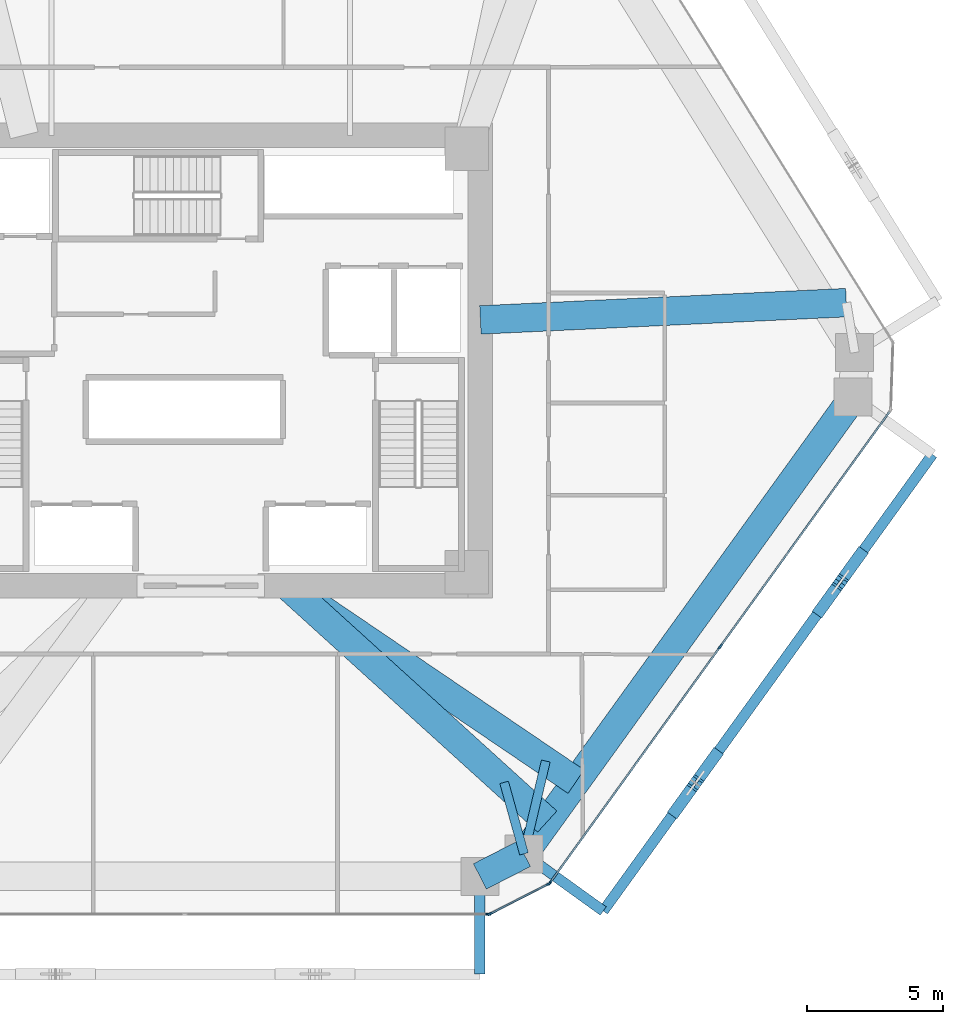
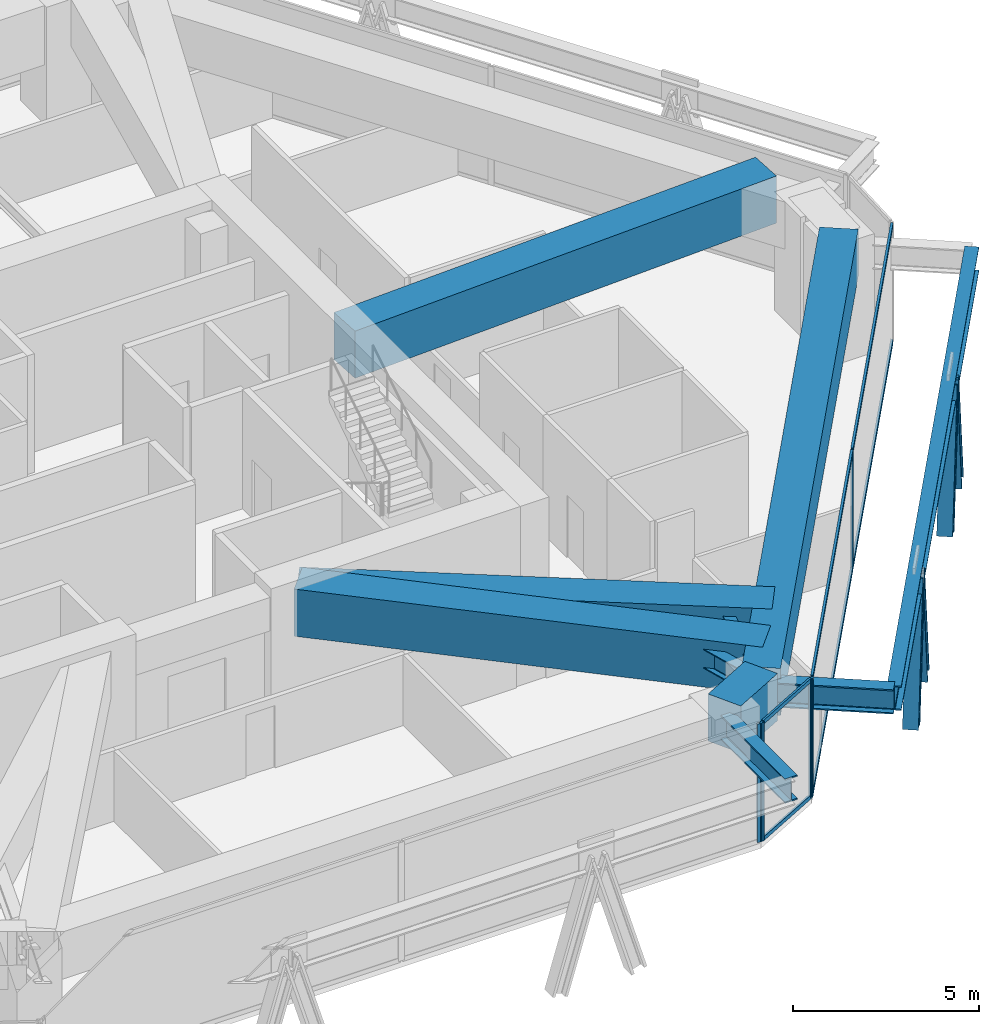
# One storey, part 5 of 16: 15 members, 10 beams, 3 elements without a shape of their own.
"""IFC4 building model written with IfcOpenShell, lengths in metres."""

from ifc_helpers import new_model, si_unit, direction, frame, origin, origin_2d, place, context, subcontext, project, spatial, rectangle, i_section, extrude, source, transform, mapped, material, layer, layer_set, material_profile, profile_set, type_object, type_shapes, element, aggregate, save


model = new_model("IFC4")

# Units and contexts
model_context = context("Model", 3, precision=1e-05, world=origin(), true_north=direction((0.0, 1.0)))
body_context = subcontext(model_context, "Body", "Model", "MODEL_VIEW")
ifc_project = project(units=[si_unit("LENGTHUNIT", "METRE"), si_unit("AREAUNIT", "SQUARE_METRE"), si_unit("VOLUMEUNIT", "CUBIC_METRE"), si_unit("PLANEANGLEUNIT", "RADIAN"), si_unit("MASSUNIT", "GRAM", prefix="KILO")], contexts=[model_context])

# Site, building, storey
site_placement = place(None, origin())
site = spatial("IfcSite", under=ifc_project, at=site_placement, CompositionType="ELEMENT")
building_placement = place(site_placement, origin())
building = spatial("IfcBuilding", under=site, at=building_placement, Name="Durnholm Broadcast Tower", CompositionType="ELEMENT")
storey_placement = place(building_placement, frame((0.0, 0.0, 84.300048828125)))
storey = spatial("IfcBuildingStorey", under=building, at=storey_placement, Name="L22", CompositionType="ELEMENT", Elevation=84.300048828125)

# Beams
ifc_material_1 = material(Name="Steel ASTM A992 Grade 50", Category="steel")
ifc_material_profile_1 = material_profile(ifc_material_1, i_section(OverallWidth=0.385009765625, OverallDepth=0.802978515625, WebThickness=0.023681640625, FlangeThickness=0.0419921875, FilletRadius=0.032958984375, at=origin_2d()), Name="W30X261")
ifc_profile_set_1 = profile_set([ifc_material_profile_1], Name="Steel ASTM A992 Grade 50")
beam_type_1 = type_object("IfcBeamType", Name="BM-EXO-TIE", PredefinedType="USERDEFINED", material=ifc_profile_set_1)
shared_shape_1 = source(origin(), body_context, "Body", "SweptSolid", [
    extrude(i_section(OverallWidth=0.385009765625, OverallDepth=0.802978515625, WebThickness=0.023681640625, FlangeThickness=0.0419921875, FilletRadius=0.032958984375, at=origin_2d()), origin(), (0.0, 0.0, 1.0), 3.4560546875),
])
for number, where, z_axis, x_axis, name in (
    (1, (10.28271484375, -19.14404296875, 3.1484375), (0.0, -1.0, 0.0), (1.0, 0.0, 0.0), "L22 exoskeleton stand-off tie bracket F1.2"),
    (2, (12.024169921875, -18.252685546875, 3.1484375), (0.811157675106, -0.584827518262, 0.0), (0.584827518262, 0.811157675106, 0.0), "L22 exoskeleton stand-off tie bracket F2.1"),
):
    element("IfcBeam", number, at=place(storey_placement, frame(where, z_axis=z_axis, x_axis=x_axis)), inside=storey, type_object=beam_type_1, Name=name, ObjectType="GIRDER", PredefinedType="USERDEFINED", context=body_context, shape_type="MappedRepresentation", body=[
        mapped(shared_shape_1, transform((0.0, 0.0, 0.0), x_axis=(1.0, 0.0, 0.0), y_axis=(0.0, 1.0, 0.0), z_axis=(0.0, 0.0, 1.0), scale=1.0)),
    ])
shared_shape_2 = source(origin(), body_context, "Body", "SweptSolid", [
    extrude(i_section(OverallWidth=0.385009765625, OverallDepth=0.802978515625, WebThickness=0.023681640625, FlangeThickness=0.0419921875, FilletRadius=0.032958984375, at=origin_2d()), origin(), (0.0, 0.0, 1.0), 20.737060546875),
])
type_shapes(beam_type_1, [shared_shape_1, shared_shape_2])
beam_1_placement = place(storey_placement, frame((14.82763671875, -20.27392578125, 3.1484375), z_axis=(0.5848163482, 0.811165728368, 0.0), x_axis=(-0.811165728368, 0.5848163482, 0.0)))
element("IfcBeam", 3, at=beam_1_placement, inside=storey, type_object=beam_type_1, Name="L22 exoskeleton collector spandrel F2", PredefinedType="SPANDREL", context=body_context, shape_type="MappedRepresentation", body=[
    mapped(shared_shape_2, transform((0.0, 0.0, 0.0), x_axis=(1.0, 0.0, 0.0), y_axis=(0.0, 1.0, 0.0), z_axis=(0.0, 0.0, 1.0), scale=1.0)),
])
ifc_material_2 = material(Name="Concrete C70/85", Category="concrete")
ifc_material_profile_2 = material_profile(ifc_material_2, rectangle(XDim=1.050048828125, YDim=1.550048828125, at=origin_2d()), Name="RC1050X1550")
ifc_profile_set_2 = profile_set([ifc_material_profile_2], Name="Concrete C70/85")
beam_type_2 = type_object("IfcBeamType", Name="BM-TG-RC1550", PredefinedType="USERDEFINED", material=ifc_profile_set_2)
shared_shape_3 = source(origin(), body_context, "Body", "SweptSolid", [
    extrude(rectangle(XDim=1.050048828125, YDim=1.550048828125, at=origin_2d()), origin(), (0.0, 0.0, 1.0), 20.737060546875),
])
beam_2_placement = place(storey_placement, frame((24.034912109375, -1.347412109375, 3.125), z_axis=(-0.584821933191, -0.811161701795, 0.0), x_axis=(0.811161701795, -0.584821933191, 0.0)))
element("IfcBeam", 4, at=beam_2_placement, inside=storey, type_object=beam_type_2, Name="L22 perimeter transfer spandrel girder 09", PredefinedType="SPANDREL", context=body_context, shape_type="MappedRepresentation", body=[
    mapped(shared_shape_3, transform((0.0, 0.0, 0.0), x_axis=(1.0, 0.0, 0.0), y_axis=(0.0, 1.0, 0.0), z_axis=(0.0, 0.0, 1.0), scale=1.0)),
])
shared_shape_4 = source(origin(), body_context, "Body", "SweptSolid", [
    extrude(rectangle(XDim=1.050048828125, YDim=1.550048828125, at=origin_2d()), origin(), (0.0, 0.0, 1.0), 1.8251953125),
])
beam_3_placement = place(storey_placement, frame((11.907470703125, -18.16845703125, 3.125), z_axis=(-0.890187609501, -0.455594139438, 0.0), x_axis=(0.455594139438, -0.890187609501, 0.0)))
element("IfcBeam", 5, at=beam_3_placement, inside=storey, type_object=beam_type_2, Name="L22 perimeter transfer spandrel girder 10", PredefinedType="SPANDREL", context=body_context, shape_type="MappedRepresentation", body=[
    mapped(shared_shape_4, transform((0.0, 0.0, 0.0), x_axis=(1.0, 0.0, 0.0), y_axis=(0.0, 1.0, 0.0), z_axis=(0.0, 0.0, 1.0), scale=1.0)),
])
shared_shape_5 = source(origin(), body_context, "Body", "SweptSolid", [
    extrude(rectangle(XDim=1.050048828125, YDim=1.550048828125, at=origin_2d()), origin(), (0.0, 0.0, 1.0), 13.495849609375),
])
beam_4_placement = place(storey_placement, frame((10.300048828125, 1.5, 3.125), z_axis=(0.99888643987, 0.047179235293, 0.0), x_axis=(-0.047179235293, 0.99888643987, 0.0)))
element("IfcBeam", 6, at=beam_4_placement, inside=storey, type_object=beam_type_2, Name="L22 radial setback transfer girder 08", ObjectType="GIRDER", PredefinedType="USERDEFINED", context=body_context, shape_type="MappedRepresentation", body=[
    mapped(shared_shape_5, transform((0.0, 0.0, 0.0), x_axis=(1.0, 0.0, 0.0), y_axis=(0.0, 1.0, 0.0), z_axis=(0.0, 0.0, 1.0), scale=1.0)),
])
shared_shape_6 = source(origin(), body_context, "Body", "SweptSolid", [
    extrude(rectangle(XDim=1.050048828125, YDim=1.550048828125, at=origin_2d()), origin(), (0.0, 0.0, 1.0), 12.839599609375),
])
beam_5_placement = place(storey_placement, frame((3.199951171875, -8.300048828125, 3.125), z_axis=(0.827591870368, -0.561330291451, 0.0), x_axis=(0.561330291451, 0.827591870368, 0.0)))
element("IfcBeam", 7, at=beam_5_placement, inside=storey, type_object=beam_type_2, Name="L22 radial setback transfer girder 10", ObjectType="GIRDER", PredefinedType="USERDEFINED", context=body_context, shape_type="MappedRepresentation", body=[
    mapped(shared_shape_6, transform((0.0, 0.0, 0.0), x_axis=(1.0, 0.0, 0.0), y_axis=(0.0, 1.0, 0.0), z_axis=(0.0, 0.0, 1.0), scale=1.0)),
])
ifc_material_profile_3 = material_profile(ifc_material_1, i_section(OverallWidth=0.3291015625, OverallDepth=0.635009765625, WebThickness=0.017822265625, FlangeThickness=0.031005859375, FilletRadius=0.02783203125, at=origin_2d()), Name="W24X162")
ifc_profile_set_3 = profile_set([ifc_material_profile_3], Name="Steel ASTM A992 Grade 50")
beam_type_3 = type_object("IfcBeamType", Name="STL-SP-W24X162", PredefinedType="SPANDREL", material=ifc_profile_set_3)
shared_shape_7 = source(origin(), body_context, "Body", "SweptSolid", [
    extrude(i_section(OverallWidth=0.3291015625, OverallDepth=0.635009765625, WebThickness=0.017822265625, FlangeThickness=0.031005859375, FilletRadius=0.02783203125, at=origin_2d()), origin(), (0.0, 0.0, 1.0), 3.51123046875),
])
beam_6_placement = place(storey_placement, frame((11.907470703125, -18.16845703125, 3.280029296875), z_axis=(0.228554854378, 0.973531036249, 0.0), x_axis=(-0.973531036249, 0.228554854378, 0.0)))
element("IfcBeam", 8, at=beam_6_placement, inside=storey, type_object=beam_type_3, Name="L22 perimeter column collector tie 10", ObjectType="GIRDER", PredefinedType="USERDEFINED", context=body_context, shape_type="MappedRepresentation", body=[
    mapped(shared_shape_7, transform((0.0, 0.0, 0.0), x_axis=(1.0, 0.0, 0.0), y_axis=(0.0, 1.0, 0.0), z_axis=(0.0, 0.0, 1.0), scale=1.0)),
])
shared_shape_8 = source(origin(), body_context, "Body", "SweptSolid", [
    extrude(rectangle(XDim=1.050048828125, YDim=1.550048828125, at=origin_2d()), origin(), (0.0, 0.0, 1.0), 12.91552734375),
])
type_shapes(beam_type_2, [shared_shape_3, shared_shape_4, shared_shape_5, shared_shape_6, shared_shape_8])
beam_7_placement = place(storey_placement, frame((3.199951171875, -8.300048828125, 3.125), z_axis=(0.740591486616, -0.671955541648, 0.0), x_axis=(0.671955541648, 0.740591486616, 0.0)))
element("IfcBeam", 9, at=beam_7_placement, inside=storey, type_object=beam_type_2, Name="L22 radial setback transfer girder 11", ObjectType="GIRDER", PredefinedType="USERDEFINED", context=body_context, shape_type="MappedRepresentation", body=[
    mapped(shared_shape_8, transform((0.0, 0.0, 0.0), x_axis=(1.0, 0.0, 0.0), y_axis=(0.0, 1.0, 0.0), z_axis=(0.0, 0.0, 1.0), scale=1.0)),
])
shared_shape_9 = source(origin(), body_context, "Body", "SweptSolid", [
    extrude(i_section(OverallWidth=0.3291015625, OverallDepth=0.635009765625, WebThickness=0.017822265625, FlangeThickness=0.031005859375, FilletRadius=0.02783203125, at=origin_2d()), origin(), (0.0, 0.0, 1.0), 2.731201171875),
])
type_shapes(beam_type_3, [shared_shape_7, shared_shape_9])
beam_8_placement = place(storey_placement, frame((11.907470703125, -18.16845703125, 3.280029296875), z_axis=(-0.267819057845, 0.963469227456, 0.0), x_axis=(-0.963469227456, -0.267819057845, 0.0)))
element("IfcBeam", 10, at=beam_8_placement, inside=storey, type_object=beam_type_3, Name="L22 perimeter column collector tie 11", ObjectType="GIRDER", PredefinedType="USERDEFINED", context=body_context, shape_type="MappedRepresentation", body=[
    mapped(shared_shape_9, transform((0.0, 0.0, 0.0), x_axis=(1.0, 0.0, 0.0), y_axis=(0.0, 1.0, 0.0), z_axis=(0.0, 0.0, 1.0), scale=1.0)),
])

# Members
ifc_material_3 = material(Name="Steel ASTM A913 Grade 65", Category="steel")
ifc_material_profile_4 = material_profile(ifc_material_3, i_section(OverallWidth=0.43212890625, OverallDepth=0.497802734375, WebThickness=0.0556640625, FlangeThickness=0.0888671875, FilletRadius=0.030517578125, at=origin_2d()), Name="W14X500")
ifc_profile_set_4 = profile_set([ifc_material_profile_4], Name="Steel ASTM A913 Grade 65")
member_type_1 = type_object("IfcMemberType", Name="STL-DG-W14X500", PredefinedType="BRACE", material=ifc_profile_set_4)
shared_shape_10 = source(origin(), body_context, "Body", "SweptSolid", [
    extrude(i_section(OverallWidth=0.43212890625, OverallDepth=0.497802734375, WebThickness=0.0556640625, FlangeThickness=0.0888671875, FilletRadius=0.030517578125, at=origin_2d()), origin(), (0.0, 0.0, 1.0), 4.31982421875),
])
type_shapes(member_type_1, [shared_shape_10])
for number, where, z_axis, x_axis, name in (
    (11, (17.501708984375, -16.564697265625, -0.991455078125), (0.167061760729, 0.231659728426, 0.958344477903), (-0.81109123444, 0.58491966065, 0.0), "L22 stand-off diagrid brace F2.D1.1"),
    (12, (18.94482421875, -14.563232421875, -0.991455078125), (-0.167006821139, -0.231661915346, 0.958353524891), (0.811185111535, -0.584789461963, 0.0), "L22 stand-off diagrid brace F2.D1.2"),
    (13, (22.837890625, -9.163330078125, -0.991455078125), (0.167061760729, 0.231659728426, 0.958344477903), (-0.81109123444, 0.58491966065, 0.0), "L22 stand-off diagrid brace F2.D2.1"),
    (14, (24.281005859375, -7.161865234375, -0.991455078125), (-0.167006821139, -0.231661915346, 0.958353524891), (0.811185111535, -0.584789461963, 0.0), "L22 stand-off diagrid brace F2.D2.2"),
):
    element("IfcMember", number, at=place(storey_placement, frame(where, z_axis=z_axis, x_axis=x_axis)), inside=storey, type_object=member_type_1, Name=name, PredefinedType="BRACE", context=body_context, shape_type="MappedRepresentation", body=[
        mapped(shared_shape_10, transform((0.0, 0.0, 0.0), x_axis=(1.0, 0.0, 0.0), y_axis=(0.0, 1.0, 0.0), z_axis=(0.0, 0.0, 1.0), scale=1.0)),
    ])

# Curtain wall, members
ifc_material_4 = material(Name="Aluminium and Solar Control IGU", Category="aluminium")
ifc_layer_1 = layer(ifc_material_4, 0.1650390625)
ifc_layer_set_1 = layer_set([ifc_layer_1], Name="Aluminium and Solar Control IGU")
curtain_wall_type_1 = type_object("IfcCurtainWallType", Name="CW-SYS-5", PredefinedType="NOTDEFINED", material=ifc_layer_set_1)
curtain_wall_1_placement = place(storey_placement, origin())
curtain_wall_1 = element("IfcCurtainWall", 15, at=curtain_wall_1_placement, inside=storey, type_object=curtain_wall_type_1, Name="L22 curtain wall CW-CORNER CW-L22-CRN-09", PredefinedType="NOTDEFINED")
ifc_material_5 = material(Name="Aluminium 6063-T6", Category="aluminium")
ifc_material_profile_5 = material_profile(ifc_material_5, rectangle(XDim=0.06494140625, YDim=0.1298828125, at=origin_2d()), Name="CWT65X130")
ifc_profile_set_5 = profile_set([ifc_material_profile_5], Name="Aluminium 6063-T6")
member_type_2 = type_object("IfcMemberType", Name="CW-SYS-5-TRN", PredefinedType="USERDEFINED", material=ifc_profile_set_5)
shared_shape_11 = source(origin(), body_context, "Body", "SweptSolid", [
    extrude(rectangle(XDim=0.06494140625, YDim=0.1298828125, at=origin_2d()), origin(), (0.0, 0.0, 1.0), 2.3701171875),
])
type_shapes(member_type_2, [shared_shape_11])
member_1_placement = place(storey_placement, frame((12.787841796875, -19.29052734375, 0.032470703125), z_axis=(-0.890185016934, -0.455599205033, 0.0), x_axis=(0.455599205033, -0.890185016934, 0.0)))
member_1 = element("IfcMember", 16, at=member_1_placement, type_object=member_type_2, Name="CW-CORNER transom 1.1", ObjectType="TRANSOM", PredefinedType="USERDEFINED", context=body_context, shape_type="MappedRepresentation", body=[
    mapped(shared_shape_11, transform((0.0, 0.0, 0.0), x_axis=(1.0, 0.0, 0.0), y_axis=(0.0, 1.0, 0.0), z_axis=(0.0, 0.0, 1.0), scale=1.0)),
])
member_2_placement = place(storey_placement, frame((12.787841796875, -19.29052734375, 3.867431640625), z_axis=(-0.890185016934, -0.455599205033, 0.0), x_axis=(0.455599205033, -0.890185016934, 0.0)))
member_2 = element("IfcMember", 17, at=member_2_placement, type_object=member_type_2, Name="CW-CORNER transom 1.2", ObjectType="TRANSOM", PredefinedType="USERDEFINED", context=body_context, shape_type="MappedRepresentation", body=[
    mapped(shared_shape_11, transform((0.0, 0.0, 0.0), x_axis=(1.0, 0.0, 0.0), y_axis=(0.0, 1.0, 0.0), z_axis=(0.0, 0.0, 1.0), scale=1.0)),
])

ifc_layer_2 = layer(ifc_material_4, 0.18994140625)
ifc_layer_set_2 = layer_set([ifc_layer_2], Name="Aluminium and Solar Control IGU")
curtain_wall_type_2 = type_object("IfcCurtainWallType", Name="CW-SYS-3", PredefinedType="NOTDEFINED", material=ifc_layer_set_2)
curtain_wall_2_placement = place(storey_placement, origin())
curtain_wall_2 = element("IfcCurtainWall", 18, at=curtain_wall_2_placement, inside=storey, type_object=curtain_wall_type_2, Name="L22 curtain wall CW-Z12-VIS CW-L22-F08", PredefinedType="NOTDEFINED")
ifc_material_profile_6 = material_profile(ifc_material_5, rectangle(XDim=0.070068359375, YDim=0.14990234375, at=origin_2d()), Name="CWT70X150")
ifc_profile_set_6 = profile_set([ifc_material_profile_6], Name="Aluminium 6063-T6")
member_type_3 = type_object("IfcMemberType", Name="CW-SYS-3-TRN", PredefinedType="USERDEFINED", material=ifc_profile_set_6)
shared_shape_12 = source(origin(), body_context, "Body", "SweptSolid", [
    extrude(rectangle(XDim=0.070068359375, YDim=0.14990234375, at=origin_2d()), origin(), (0.0, 0.0, 1.0), 10.6455078125),
])
member_3_placement = place(storey_placement, frame((25.37890625, -1.877197265625, 0.034912109375), z_axis=(-0.584812103659, -0.811168788486, 0.0), x_axis=(0.811168788486, -0.584812103659, 0.0)))
member_3 = element("IfcMember", 19, at=member_3_placement, type_object=member_type_3, Name="CW-Z12-VIS transom 1.1", ObjectType="TRANSOM", PredefinedType="USERDEFINED", context=body_context, shape_type="MappedRepresentation", body=[
    mapped(shared_shape_12, transform((0.0, 0.0, 0.0), x_axis=(1.0, 0.0, 0.0), y_axis=(0.0, 1.0, 0.0), z_axis=(0.0, 0.0, 1.0), scale=1.0)),
])
member_4_placement = place(storey_placement, frame((25.37890625, -1.877197265625, 3.864990234375), z_axis=(-0.584812103659, -0.811168788486, 0.0), x_axis=(0.811168788486, -0.584812103659, 0.0)))
member_4 = element("IfcMember", 20, at=member_4_placement, type_object=member_type_3, Name="CW-Z12-VIS transom 1.2", ObjectType="TRANSOM", PredefinedType="USERDEFINED", context=body_context, shape_type="MappedRepresentation", body=[
    mapped(shared_shape_12, transform((0.0, 0.0, 0.0), x_axis=(1.0, 0.0, 0.0), y_axis=(0.0, 1.0, 0.0), z_axis=(0.0, 0.0, 1.0), scale=1.0)),
])
shared_shape_13 = source(origin(), body_context, "Body", "SweptSolid", [
    extrude(rectangle(XDim=0.070068359375, YDim=0.14990234375, at=origin_2d()), origin(), (0.0, 0.0, 1.0), 10.645263671875),
])
type_shapes(member_type_3, [shared_shape_12, shared_shape_13])
member_5_placement = place(storey_placement, frame((19.1123046875, -10.569091796875, 0.034912109375), z_axis=(-0.584822983179, -0.811160944786, 0.0), x_axis=(0.811160944786, -0.584822983179, 0.0)))
member_5 = element("IfcMember", 21, at=member_5_placement, type_object=member_type_3, Name="CW-Z12-VIS transom 2.1", ObjectType="TRANSOM", PredefinedType="USERDEFINED", context=body_context, shape_type="MappedRepresentation", body=[
    mapped(shared_shape_13, transform((0.0, 0.0, 0.0), x_axis=(1.0, 0.0, 0.0), y_axis=(0.0, 1.0, 0.0), z_axis=(0.0, 0.0, 1.0), scale=1.0)),
])
member_6_placement = place(storey_placement, frame((19.1123046875, -10.569091796875, 3.864990234375), z_axis=(-0.584822983179, -0.811160944786, 0.0), x_axis=(0.811160944786, -0.584822983179, 0.0)))
member_6 = element("IfcMember", 22, at=member_6_placement, type_object=member_type_3, Name="CW-Z12-VIS transom 2.2", ObjectType="TRANSOM", PredefinedType="USERDEFINED", context=body_context, shape_type="MappedRepresentation", body=[
    mapped(shared_shape_13, transform((0.0, 0.0, 0.0), x_axis=(1.0, 0.0, 0.0), y_axis=(0.0, 1.0, 0.0), z_axis=(0.0, 0.0, 1.0), scale=1.0)),
])

# Member
ifc_material_profile_7 = material_profile(ifc_material_5, rectangle(XDim=0.06494140625, YDim=0.1650390625, at=origin_2d()), Name="CWM65X165")
ifc_profile_set_7 = profile_set([ifc_material_profile_7], Name="Aluminium 6063-T6")
member_type_4 = type_object("IfcMemberType", Name="CW-SYS-5-MUL", PredefinedType="MULLION", material=ifc_profile_set_7)
shared_shape_14 = source(origin(), body_context, "Body", "SweptSolid", [
    extrude(rectangle(XDim=0.06494140625, YDim=0.1650390625, at=origin_2d()), origin(), (0.0, 0.0, 1.0), 3.89990234375),
])
type_shapes(member_type_4, [shared_shape_14])
member_7_placement = place(storey_placement, frame((12.816650390625, -19.27587890625, 0.0), z_axis=(0.0, 0.0, 1.0), x_axis=(0.455593758406, -0.890187804512, 0.0)))
member_7 = element("IfcMember", 23, at=member_7_placement, type_object=member_type_4, Name="CW-CORNER mullion 1", PredefinedType="MULLION", context=body_context, shape_type="MappedRepresentation", body=[
    mapped(shared_shape_14, transform((0.0, 0.0, 0.0), x_axis=(1.0, 0.0, 0.0), y_axis=(0.0, 1.0, 0.0), z_axis=(0.0, 0.0, 1.0), scale=1.0)),
])

member_8_placement = place(storey_placement, frame((10.649169921875, -20.38525390625, 0.0), z_axis=(0.0, 0.0, 1.0), x_axis=(0.455593758406, -0.890187804512, 0.0)))
member_8 = element("IfcMember", 24, at=member_8_placement, type_object=member_type_4, Name="CW-CORNER mullion 2", PredefinedType="MULLION", context=body_context, shape_type="MappedRepresentation", body=[
    mapped(shared_shape_14, transform((0.0, 0.0, 0.0), x_axis=(1.0, 0.0, 0.0), y_axis=(0.0, 1.0, 0.0), z_axis=(0.0, 0.0, 1.0), scale=1.0)),
])

aggregate(curtain_wall_1, [member_7, member_8, member_1, member_2])

ifc_material_profile_8 = material_profile(ifc_material_5, rectangle(XDim=0.070068359375, YDim=0.18994140625, at=origin_2d()), Name="CWM70X190")
ifc_profile_set_8 = profile_set([ifc_material_profile_8], Name="Aluminium 6063-T6")
member_type_5 = type_object("IfcMemberType", Name="CW-SYS-3-MUL", PredefinedType="MULLION", material=ifc_profile_set_8)
shared_shape_15 = source(origin(), body_context, "Body", "SweptSolid", [
    extrude(rectangle(XDim=0.070068359375, YDim=0.18994140625, at=origin_2d()), origin(), (0.0, 0.0, 1.0), 3.89990234375),
])
type_shapes(member_type_5, [shared_shape_15])
member_9_placement = place(storey_placement, frame((19.1328125, -10.540771484375, 0.0), z_axis=(0.0, 0.0, 1.0), x_axis=(0.81116057493, -0.584823496176, 0.0)))
member_9 = element("IfcMember", 25, at=member_9_placement, type_object=member_type_5, Name="CW-Z12-VIS mullion 2", PredefinedType="MULLION", context=body_context, shape_type="MappedRepresentation", body=[
    mapped(shared_shape_15, transform((0.0, 0.0, 0.0), x_axis=(1.0, 0.0, 0.0), y_axis=(0.0, 1.0, 0.0), z_axis=(0.0, 0.0, 1.0), scale=1.0)),
])

member_10_placement = place(storey_placement, frame((12.8662109375, -19.232666015625, 0.0), z_axis=(0.0, 0.0, 1.0), x_axis=(0.81116057493, -0.584823496176, 0.0)))
member_10 = element("IfcMember", 26, at=member_10_placement, type_object=member_type_5, Name="CW-Z12-VIS mullion 3", PredefinedType="MULLION", context=body_context, shape_type="MappedRepresentation", body=[
    mapped(shared_shape_15, transform((0.0, 0.0, 0.0), x_axis=(1.0, 0.0, 0.0), y_axis=(0.0, 1.0, 0.0), z_axis=(0.0, 0.0, 1.0), scale=1.0)),
])

aggregate(curtain_wall_2, [member_9, member_10, member_3, member_4, member_5, member_6])

# Curtain wall, member
curtain_wall_3_placement = place(storey_placement, origin())
curtain_wall_3 = element("IfcCurtainWall", 27, at=curtain_wall_3_placement, inside=storey, type_object=curtain_wall_type_2, Name="L22 curtain wall CW-Z12-VIS CW-L22-F10", PredefinedType="NOTDEFINED")
member_11_placement = place(storey_placement, frame((10.585205078125, -20.39990234375, 0.0), z_axis=(0.0, 0.0, 1.0), x_axis=(0.0, -1.0, 0.0)))
member_11 = element("IfcMember", 28, at=member_11_placement, type_object=member_type_5, Name="CW-Z12-VIS mullion 1", PredefinedType="MULLION", context=body_context, shape_type="MappedRepresentation", body=[
    mapped(shared_shape_15, transform((0.0, 0.0, 0.0), x_axis=(1.0, 0.0, 0.0), y_axis=(0.0, 1.0, 0.0), z_axis=(0.0, 0.0, 1.0), scale=1.0)),
])
aggregate(curtain_wall_3, [member_11])

save(model, "model.ifc")
